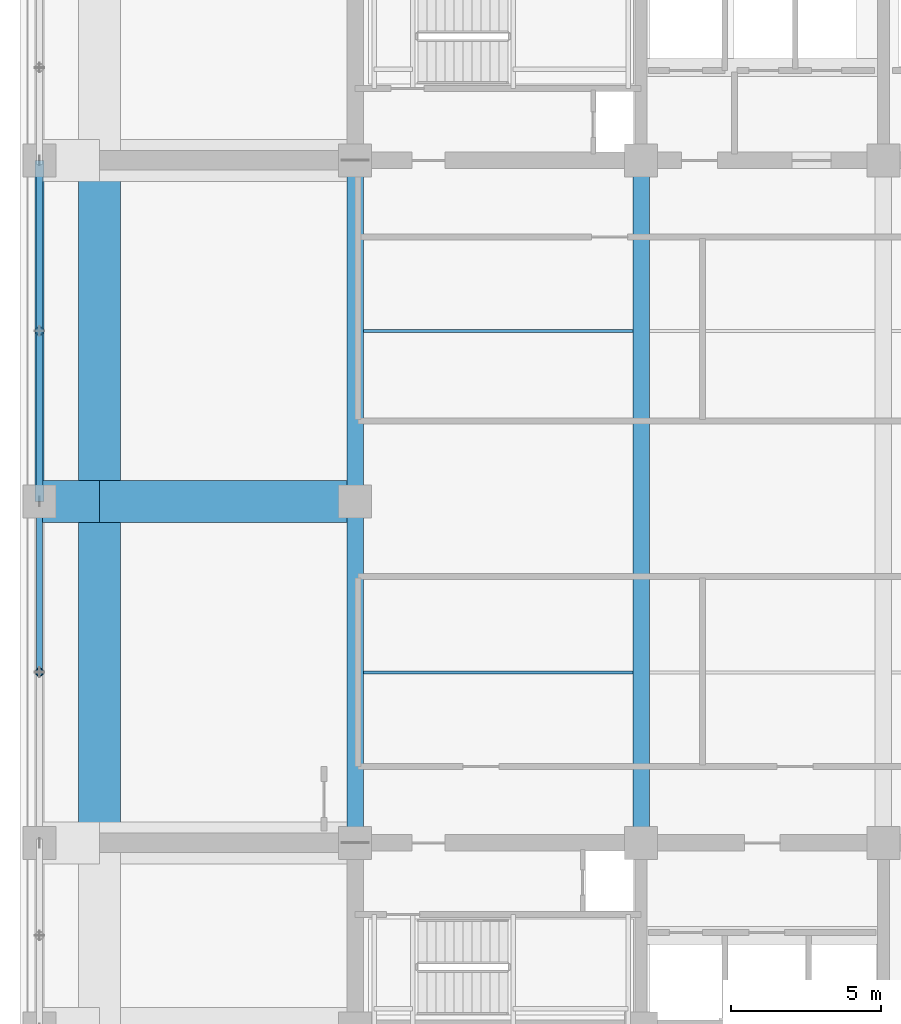
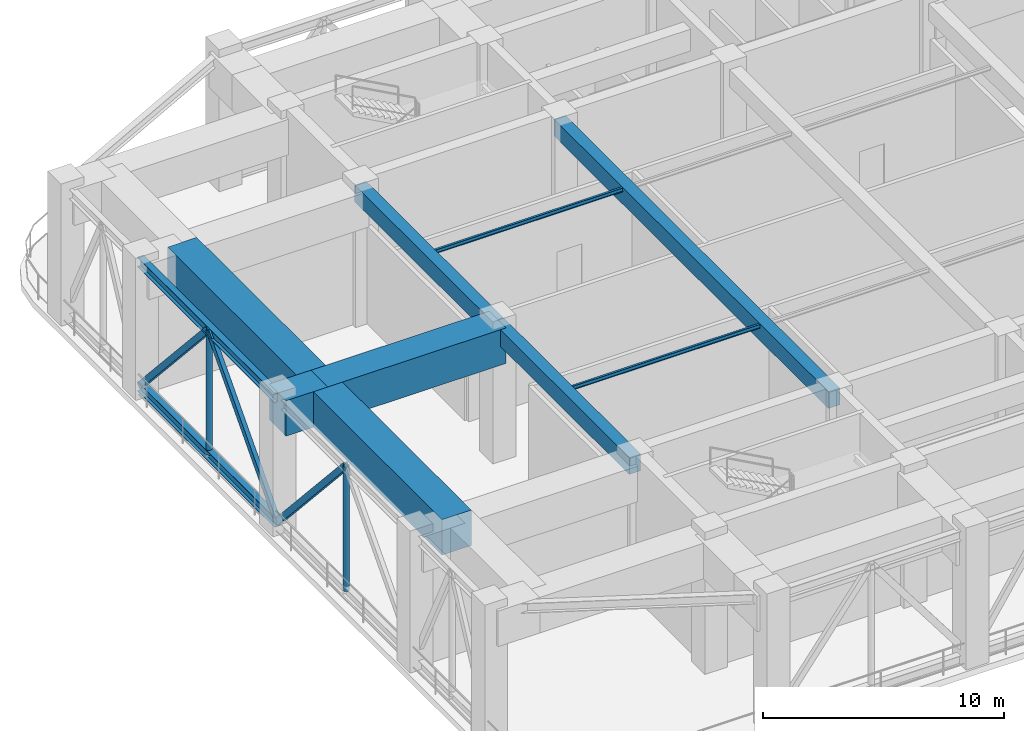
# One storey, part 4 of 20: 11 beams, 5 members.
"""IFC4 building model written with IfcOpenShell, lengths in metres."""

from ifc_helpers import new_model, si_unit, direction, frame, origin, origin_2d, place, context, subcontext, project, spatial, rectangle, hollow_rectangle, hollow_circle, i_section, extrude, material, material_profile, profile_set, type_object, element, save


model = new_model("IFC4")

# Units and contexts
model_context = context("Model", 3, precision=1e-05, world=origin(), true_north=direction((0.0, 1.0)))
body_context = subcontext(model_context, "Body", "Model", "MODEL_VIEW")
ifc_project = project(units=[si_unit("LENGTHUNIT", "METRE"), si_unit("AREAUNIT", "SQUARE_METRE"), si_unit("VOLUMEUNIT", "CUBIC_METRE"), si_unit("PLANEANGLEUNIT", "RADIAN"), si_unit("MASSUNIT", "GRAM", prefix="KILO")], contexts=[model_context])

# Site, building, storey
site_placement = place(None, origin())
site = spatial("IfcSite", under=ifc_project, at=site_placement, CompositionType="ELEMENT")
building_placement = place(site_placement, origin())
building = spatial("IfcBuilding", under=site, at=building_placement, Name="Svetorya Sky Lyceum", CompositionType="ELEMENT")
storey_placement = place(building_placement, frame((0.0, 0.0, 136.39990234375)))
storey = spatial("IfcBuildingStorey", under=building, at=storey_placement, Name="L34", CompositionType="ELEMENT", Elevation=136.39990234375)

# Beams
ifc_material_1 = material(Name="Concrete C50/60", Category="concrete")
ifc_material_profile_1 = material_profile(ifc_material_1, rectangle(XDim=0.550048828125, YDim=0.85009765625, at=origin_2d()), Name="RC BEAM 550x850")
ifc_profile_set_1 = profile_set([ifc_material_profile_1], Name="Concrete C50/60")
beam_type_1 = type_object("IfcBeamType", Name="BM-RC-850", PredefinedType="BEAM", material=ifc_profile_set_1)
beam_1_placement = place(storey_placement, frame((25.60009765625, 16.800048828125, 6.375), z_axis=(0.0, 1.0, 0.0), x_axis=(-1.0, 0.0, 0.0)))
element("IfcBeam", 1, at=beam_1_placement, inside=storey, type_object=beam_type_1, Name="L34 Central Bay Primary Girder CG-1A", PredefinedType="BEAM", context=body_context, shape_type="SweptSolid", body=[
    extrude(rectangle(XDim=0.550048828125, YDim=0.85009765625, at=origin_2d()), origin(), (0.0, 0.0, 1.0), 11.39990234375),
])
beam_2_placement = place(storey_placement, frame((25.60009765625, 28.199951171875, 6.375), z_axis=(0.0, 1.0, 0.0), x_axis=(-1.0, 0.0, 0.0)))
element("IfcBeam", 2, at=beam_2_placement, inside=storey, type_object=beam_type_1, Name="L34 Central Bay Primary Girder CG-1B", PredefinedType="BEAM", context=body_context, shape_type="SweptSolid", body=[
    extrude(rectangle(XDim=0.550048828125, YDim=0.85009765625, at=origin_2d()), origin(), (0.0, 0.0, 1.0), 11.400146484375),
])
beam_3_placement = place(storey_placement, frame((35.14990234375, 16.800048828125, 6.375), z_axis=(0.0, 1.0, 0.0), x_axis=(-1.0, 0.0, 0.0)))
element("IfcBeam", 3, at=beam_3_placement, inside=storey, type_object=beam_type_1, Name="L34 Central Bay Primary Girder CG-2", PredefinedType="BEAM", context=body_context, shape_type="SweptSolid", body=[
    extrude(rectangle(XDim=0.550048828125, YDim=0.85009765625, at=origin_2d()), origin(), (0.0, 0.0, 1.0), 22.800048828125),
])
ifc_material_2 = material(Name="Steel S355", Category="steel")
ifc_material_profile_2 = material_profile(ifc_material_2, i_section(OverallWidth=0.10009765625, OverallDepth=0.199951171875, WebThickness=0.005615234375, FlangeThickness=0.008544921875, at=origin_2d()), Name="GOST 20B1")
ifc_profile_set_2 = profile_set([ifc_material_profile_2], Name="Steel S355")
beam_type_2 = type_object("IfcBeamType", Name="BM-STL-20B1", PredefinedType="JOIST", material=ifc_profile_set_2)
for number, where, z_axis, x_axis, name in (
    (4, (25.875, 22.5, 6.7001953125), (1.0, 0.0, 0.0), (0.0, 1.0, 0.0), "L34 Central Floor Joist CJ-1.1"),
    (5, (25.875, 33.89990234375, 6.7001953125), (1.0, 0.0, 0.0), (0.0, 1.0, 0.0), "L34 Central Floor Joist CJ-3.1"),
):
    element("IfcBeam", number, at=place(storey_placement, frame(where, z_axis=z_axis, x_axis=x_axis)), inside=storey, type_object=beam_type_2, Name=name, PredefinedType="JOIST", context=body_context, shape_type="SweptSolid", body=[
        extrude(i_section(OverallWidth=0.10009765625, OverallDepth=0.199951171875, WebThickness=0.005615234375, FlangeThickness=0.008544921875, at=origin_2d()), origin(), (0.0, 0.0, 1.0), 9.0),
    ])
ifc_material_profile_3 = material_profile(ifc_material_2, i_section(OverallWidth=0.300048828125, OverallDepth=0.491943359375, WebThickness=0.012939453125, FlangeThickness=0.0205078125, at=origin_2d()), Name="GOST 50Sh2")
ifc_profile_set_3 = profile_set([ifc_material_profile_3], Name="Steel S355")
beam_type_3 = type_object("IfcBeamType", Name="BM-STL-50SH2", PredefinedType="BEAM", material=ifc_profile_set_3)
for number, where, z_axis, x_axis, name in (
    (6, (15.050048828125, 28.199951171875, 0.24609375), (0.0, 1.0, 0.0), (-1.0, 0.0, 0.0), "L34 Belt Truss Bottom Chord W-3"),
    (7, (15.050048828125, 28.199951171875, 6.55419921875), (0.0, 1.0, 0.0), (-1.0, 0.0, 0.0), "L34 Belt Truss Top Chord W-3"),
):
    element("IfcBeam", number, at=place(storey_placement, frame(where, z_axis=z_axis, x_axis=x_axis)), inside=storey, type_object=beam_type_3, Name=name, PredefinedType="BEAM", context=body_context, shape_type="SweptSolid", body=[
        extrude(i_section(OverallWidth=0.300048828125, OverallDepth=0.491943359375, WebThickness=0.012939453125, FlangeThickness=0.0205078125, at=origin_2d()), origin(), (0.0, 0.0, 1.0), 11.400146484375),
    ])
ifc_material_3 = material(Name="Concrete C60/75", Category="concrete")
ifc_material_profile_4 = material_profile(ifc_material_3, rectangle(XDim=1.39990234375, YDim=1.800048828125, at=origin_2d()), Name="RC TRANSFER 1400x1800")
ifc_profile_set_4 = profile_set([ifc_material_profile_4], Name="Concrete C60/75")
beam_type_4 = type_object("IfcBeamType", Name="BM-TRF-2200", PredefinedType="BEAM", material=ifc_profile_set_4)
beam_4_placement = place(storey_placement, frame((15.050048828125, 28.199951171875, 5.900146484375), z_axis=(1.0, 0.0, 0.0), x_axis=(0.0, 1.0, 0.0)))
element("IfcBeam", 8, at=beam_4_placement, inside=storey, type_object=beam_type_4, Name="L34 West Outer Transfer Girder 3", PredefinedType="BEAM", context=body_context, shape_type="SweptSolid", body=[
    extrude(rectangle(XDim=1.39990234375, YDim=1.800048828125, at=origin_2d()), origin(), (0.0, 0.0, 1.0), 2.0),
])
beam_5_placement = place(storey_placement, frame((17.050048828125, 28.199951171875, 5.900146484375), z_axis=(1.0, 0.0, 0.0), x_axis=(0.0, 1.0, 0.0)))
element("IfcBeam", 9, at=beam_5_placement, inside=storey, type_object=beam_type_4, Name="L34 West Inner Transfer Girder 3", PredefinedType="BEAM", context=body_context, shape_type="SweptSolid", body=[
    extrude(rectangle(XDim=1.39990234375, YDim=1.800048828125, at=origin_2d()), origin(), (0.0, 0.0, 1.0), 8.550048828125),
])
beam_6_placement = place(storey_placement, frame((17.050048828125, 16.800048828125, 5.900146484375), z_axis=(0.0, 1.0, 0.0), x_axis=(-1.0, 0.0, 0.0)))
element("IfcBeam", 10, at=beam_6_placement, inside=storey, type_object=beam_type_4, Name="L34 West Setback Transfer Girder 2", PredefinedType="BEAM", context=body_context, shape_type="SweptSolid", body=[
    extrude(rectangle(XDim=1.39990234375, YDim=1.800048828125, at=origin_2d()), origin(), (0.0, 0.0, 1.0), 11.39990234375),
])
beam_7_placement = place(storey_placement, frame((17.050048828125, 28.199951171875, 5.900146484375), z_axis=(0.0, 1.0, 0.0), x_axis=(-1.0, 0.0, 0.0)))
element("IfcBeam", 11, at=beam_7_placement, inside=storey, type_object=beam_type_4, Name="L34 West Setback Transfer Girder 3", PredefinedType="BEAM", context=body_context, shape_type="SweptSolid", body=[
    extrude(rectangle(XDim=1.39990234375, YDim=1.800048828125, at=origin_2d()), origin(), (0.0, 0.0, 1.0), 11.400146484375),
])

# Members
ifc_material_profile_5 = material_profile(ifc_material_2, hollow_rectangle(XDim=0.199951171875, YDim=0.300048828125, WallThickness=0.011962890625, at=origin_2d()), Name="RHS 300x200x12")
ifc_profile_set_5 = profile_set([ifc_material_profile_5], Name="Steel S355")
member_type_1 = type_object("IfcMemberType", Name="MB-BRC-RHS300", PredefinedType="BRACE", material=ifc_profile_set_5)
for number, where, z_axis, x_axis, name in (
    (12, (15.050048828125, 28.199951171875, 0.24609375), (0.0, -0.670435716406, 0.7419676207), (1.0, 0.0, 0.0), "L34 Belt Truss Diagonal W-2B"),
    (13, (15.050048828125, 28.199951171875, 0.24609375), (0.0, 0.670435716406, 0.7419676207), (-1.0, 0.0, 0.0), "L34 Belt Truss Diagonal W-3A"),
    (14, (15.050048828125, 39.60009765625, 0.24609375), (0.0, -0.670451524642, 0.741953336205), (1.0, 0.0, 0.0), "L34 Belt Truss Diagonal W-3B"),
):
    element("IfcMember", number, at=place(storey_placement, frame(where, z_axis=z_axis, x_axis=x_axis)), inside=storey, type_object=member_type_1, Name=name, PredefinedType="BRACE", context=body_context, shape_type="SweptSolid", body=[
        extrude(hollow_rectangle(XDim=0.199951171875, YDim=0.300048828125, WallThickness=0.011962890625, at=origin_2d()), origin(), (0.0, 0.0, 1.0), 8.501953125),
    ])
ifc_material_profile_6 = material_profile(ifc_material_2, hollow_circle(Radius=0.136474609375, WallThickness=0.011962890625, at=origin_2d()), Name="CHS 273x12")
ifc_profile_set_6 = profile_set([ifc_material_profile_6], Name="Steel S355")
member_type_2 = type_object("IfcMemberType", Name="MB-STR-CHS273", PredefinedType="STRUT", material=ifc_profile_set_6)
for number, where, z_axis, x_axis, name in (
    (15, (15.050048828125, 22.5, 0.24609375), (0.0, 0.0, 1.0), (1.0, 0.0, 0.0), "L34 Belt Truss Post W-2"),
    (16, (15.050048828125, 33.89990234375, 0.24609375), (0.0, 0.0, 1.0), (1.0, 0.0, 0.0), "L34 Belt Truss Post W-3"),
):
    element("IfcMember", number, at=place(storey_placement, frame(where, z_axis=z_axis, x_axis=x_axis)), inside=storey, type_object=member_type_2, Name=name, PredefinedType="STRUT", context=body_context, shape_type="SweptSolid", body=[
        extrude(hollow_circle(Radius=0.136474609375, WallThickness=0.011962890625, at=origin_2d()), origin(), (0.0, 0.0, 1.0), 6.30810546875),
    ])

save(model, "model.ifc")
